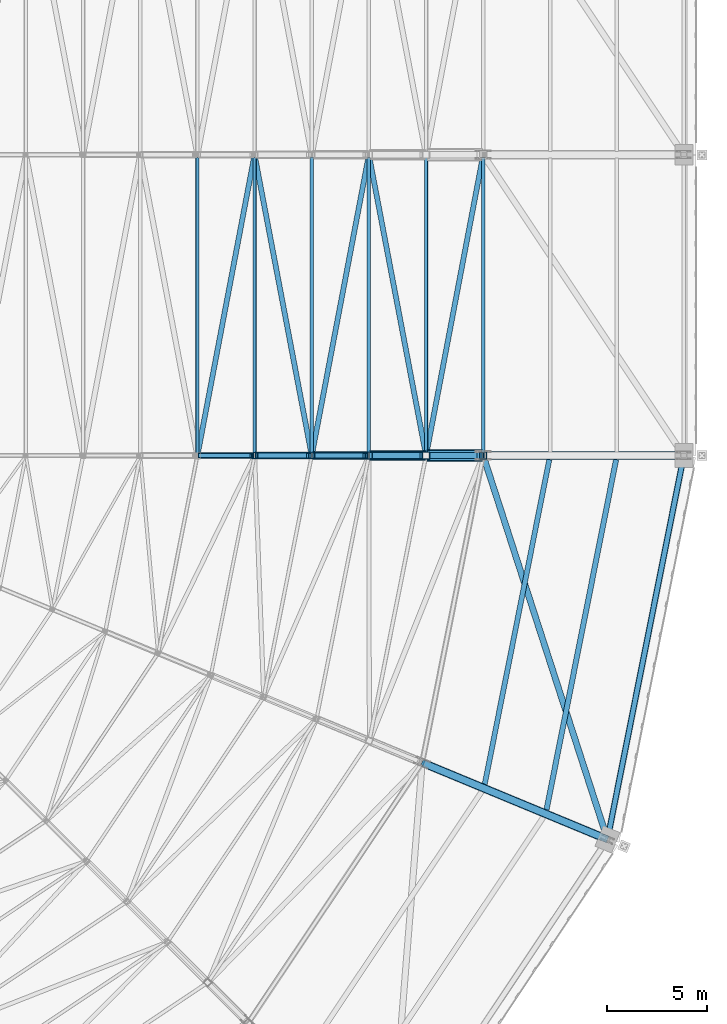
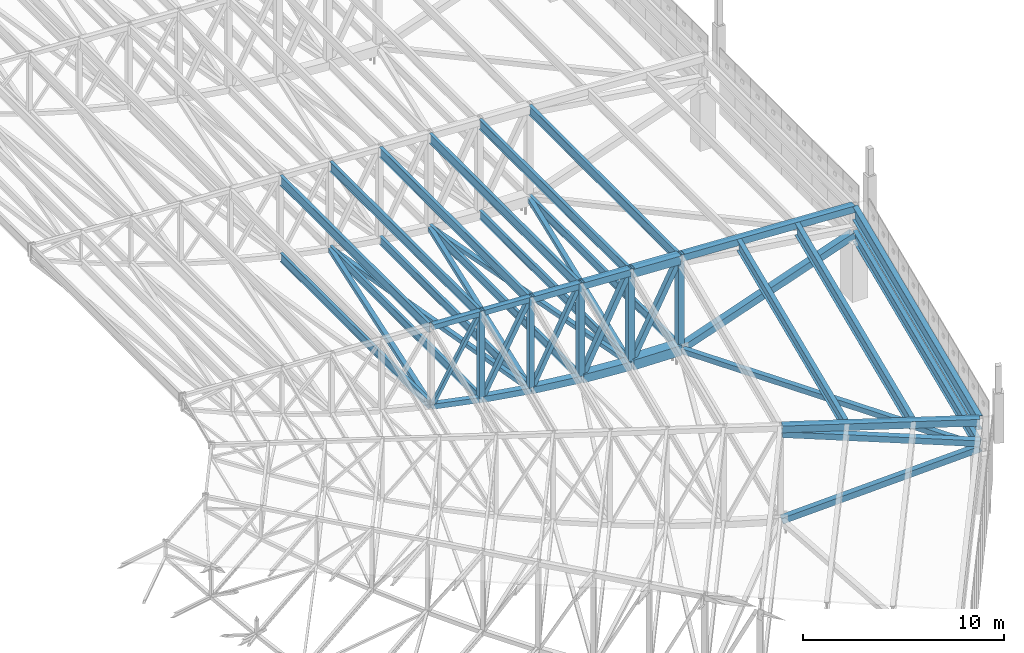
# One storey, part 51 of 278: 28 members, 19 beams.
"""IFC4 building model written with IfcOpenShell, lengths in metres."""

from ifc_helpers import new_model, si_unit, direction, frame, origin, origin_2d, place, context, subcontext, project, spatial, hollow_rectangle, i_section, extrude, material, material_profile, profile_set, type_object, element, save


model = new_model("IFC4")

# Units and contexts
model_context = context("Model", 3, precision=1e-05, world=origin(), true_north=direction((0.0, 1.0)))
body_context = subcontext(model_context, "Body", "Model", "MODEL_VIEW")
ifc_project = project(units=[si_unit("LENGTHUNIT", "METRE"), si_unit("AREAUNIT", "SQUARE_METRE"), si_unit("VOLUMEUNIT", "CUBIC_METRE"), si_unit("PLANEANGLEUNIT", "RADIAN"), si_unit("MASSUNIT", "GRAM", prefix="KILO")], contexts=[model_context])

# Site, building, storey
site_placement = place(None, origin())
site = spatial("IfcSite", under=ifc_project, at=site_placement, CompositionType="ELEMENT")
building_placement = place(site_placement, origin())
building = spatial("IfcBuilding", under=site, at=building_placement, Name="Ogive Plaza Stadium", CompositionType="ELEMENT")
storey_placement = place(building_placement, frame((0.0, 0.0, 29.0)))
storey = spatial("IfcBuildingStorey", under=building, at=storey_placement, Name="Roof", CompositionType="ELEMENT", Elevation=29.0)

# Members
ifc_material_1 = material(Name="Steel ASTM A500 Grade C", Category="steel")
ifc_material_profile_1 = material_profile(ifc_material_1, hollow_rectangle(XDim=0.25390625, YDim=0.25390625, WallThickness=0.0087890625, at=origin_2d()), Name="HSS10X10X3/8")
ifc_profile_set_1 = profile_set([ifc_material_profile_1], Name="Steel ASTM A500 Grade C")
member_type_1 = type_object("IfcMemberType", Name="Roof plan brace HSS10X10X3/8", PredefinedType="BRACE", material=ifc_profile_set_1)
member_1_placement = place(storey_placement, frame((59.77783203125, -52.353271484375, 1.753173828125), z_axis=(0.186534960176, 0.981781820104, -0.036182403809), x_axis=(-0.982425109661, 0.186657182843, 0.0)))
element("IfcMember", 1, at=member_1_placement, inside=storey, type_object=member_type_1, Name="ROOF BRACE B07 6", PredefinedType="BRACE", context=body_context, shape_type="SweptSolid", body=[
    extrude(hollow_rectangle(XDim=0.25390625, YDim=0.25390625, WallThickness=0.0087890625, at=origin_2d()), origin(), (0.0, 0.0, 1.0), 14.9794921875),
])
member_2_placement = place(storey_placement, frame((62.6279296875, -37.646728515625, 1.20166015625), z_axis=(0.186585145076, -0.982045956233, -0.027779911508), x_axis=(0.982425109661, 0.186657182843, 0.0)))
element("IfcMember", 2, at=member_2_placement, inside=storey, type_object=member_type_1, Name="ROOF BRACE B07 7", PredefinedType="BRACE", context=body_context, shape_type="SweptSolid", body=[
    extrude(hollow_rectangle(XDim=0.25390625, YDim=0.25390625, WallThickness=0.0087890625, at=origin_2d()), origin(), (0.0, 0.0, 1.0), 14.975341796875),
])
member_3_placement = place(storey_placement, frame((65.477783203125, -52.353271484375, 0.77880859375), z_axis=(0.186639895054, 0.982268812283, -0.017706778071), x_axis=(-0.982422833867, 0.186669160538, 0.0)))
element("IfcMember", 3, at=member_3_placement, inside=storey, type_object=member_type_1, Name="ROOF BRACE B07 8", PredefinedType="BRACE", context=body_context, shape_type="SweptSolid", body=[
    extrude(hollow_rectangle(XDim=0.25390625, YDim=0.25390625, WallThickness=0.0087890625, at=origin_2d()), origin(), (0.0, 0.0, 1.0), 14.946044921875),
])
member_4_placement = place(storey_placement, frame((68.332763671875, -37.672119140625, 0.50927734375), z_axis=(0.186657320186, -0.982381109131, -0.009295226886), x_axis=(0.982423551356, 0.186665384421, 0.0)))
element("IfcMember", 4, at=member_4_placement, inside=storey, type_object=member_type_1, Name="ROOF BRACE B07 9", PredefinedType="BRACE", context=body_context, shape_type="SweptSolid", body=[
    extrude(hollow_rectangle(XDim=0.25390625, YDim=0.25390625, WallThickness=0.0087890625, at=origin_2d()), origin(), (0.0, 0.0, 1.0), 14.918701171875),
])
member_5_placement = place(storey_placement, frame((71.1826171875, -52.327880859375, 0.368408203125), z_axis=(0.186663720517, 0.982414794197, -0.004222272479), x_axis=(-0.982423551356, 0.186665384421, 0.0)))
element("IfcMember", 5, at=member_5_placement, inside=storey, type_object=member_type_1, Name="ROOF BRACE B07 10", PredefinedType="BRACE", context=body_context, shape_type="SweptSolid", body=[
    extrude(hollow_rectangle(XDim=0.25390625, YDim=0.25390625, WallThickness=0.0087890625, at=origin_2d()), origin(), (0.0, 0.0, 1.0), 14.918212890625),
])
ifc_material_2 = material(Name="Steel ASTM A500 Grade C", Category="steel")
ifc_material_profile_2 = material_profile(ifc_material_2, hollow_rectangle(XDim=0.3046875, YDim=0.3046875, WallThickness=0.0087890625, at=origin_2d()), Name="HSS12X12X3/8")
ifc_profile_set_2 = profile_set([ifc_material_profile_2], Name="Steel ASTM A500 Grade C")
member_type_2 = type_object("IfcMemberType", Name="Roof plan brace HSS12X12X3/8", PredefinedType="BRACE", material=ifc_profile_set_2)
member_6_placement = place(storey_placement, frame((74.0634765625, -52.6962890625, 0.23876953125), z_axis=(0.303484233035, -0.937504082222, 0.170245164735), x_axis=(0.951392763713, 0.307980209031, 0.0)))
element("IfcMember", 6, at=member_6_placement, inside=storey, type_object=member_type_2, Name="ROOF BRACE B08 11", PredefinedType="BRACE", context=body_context, shape_type="SweptSolid", body=[
    extrude(hollow_rectangle(XDim=0.3046875, YDim=0.3046875, WallThickness=0.0087890625, at=origin_2d()), origin(), (0.0, 0.0, 1.0), 19.96337890625),
])
ifc_material_3 = material(Name="Steel ASTM A992 Grade 50", Category="steel")
ifc_material_profile_3 = material_profile(ifc_material_3, i_section(OverallWidth=0.1650390625, OverallDepth=0.524658203125, WebThickness=0.0087890625, FlangeThickness=0.011474609375, at=origin_2d()), Name="W21X44")
ifc_profile_set_3 = profile_set([ifc_material_profile_3], Name="Steel ASTM A992 Grade 50")
member_type_3 = type_object("IfcMemberType", Name="Roof plan strut W21X44", PredefinedType="STRUT", material=ifc_profile_set_3)
for number, where, z_axis, x_axis, name in (
    (7, (59.75, -37.622314453125, 1.758544921875), (0.0, -1.0, 0.0), (1.0, 0.0, 0.0), "ROOF STRUT B07 5"),
    (8, (62.60009765625, -37.622314453125, 1.205810546875), (0.0, -1.0, 0.0), (1.0, 0.0, 0.0), "ROOF STRUT B07 6"),
    (9, (65.449951171875, -37.622314453125, 0.781494140625), (0.0, -1.0, 0.0), (1.0, 0.0, 0.0), "ROOF STRUT B07 7"),
):
    element("IfcMember", number, at=place(storey_placement, frame(where, z_axis=z_axis, x_axis=x_axis)), inside=storey, type_object=member_type_3, Name=name, PredefinedType="STRUT", context=body_context, shape_type="SweptSolid", body=[
        extrude(i_section(OverallWidth=0.1650390625, OverallDepth=0.524658203125, WebThickness=0.0087890625, FlangeThickness=0.011474609375, at=origin_2d()), origin(), (0.0, 0.0, 1.0), 14.75537109375),
    ])
for number, where, z_axis, x_axis, name in (
    (10, (68.300048828125, -37.647705078125, 0.510986328125), (0.0, -1.0, 0.0), (1.0, 0.0, 0.0), "ROOF STRUT B07 8"),
    (11, (71.14990234375, -37.647705078125, 0.369140625), (0.0, -1.0, 0.0), (1.0, 0.0, 0.0), "ROOF STRUT B07 9"),
    (12, (74.0, -37.647705078125, 0.3046875), (0.0, -1.0, 0.0), (1.0, 0.0, 0.0), "ROOF STRUT B07 10"),
):
    element("IfcMember", number, at=place(storey_placement, frame(where, z_axis=z_axis, x_axis=x_axis)), inside=storey, type_object=member_type_3, Name=name, PredefinedType="STRUT", context=body_context, shape_type="SweptSolid", body=[
        extrude(i_section(OverallWidth=0.1650390625, OverallDepth=0.524658203125, WebThickness=0.0087890625, FlangeThickness=0.011474609375, at=origin_2d()), origin(), (0.0, 0.0, 1.0), 14.70458984375),
    ])
ifc_material_4 = material(Name="Steel ASTM A992 Grade 50", Category="steel")
ifc_material_profile_4 = material_profile(ifc_material_4, i_section(OverallWidth=0.2529296875, OverallDepth=0.678466796875, WebThickness=0.01171875, FlangeThickness=0.016357421875, at=origin_2d()), Name="W27X84")
ifc_profile_set_4 = profile_set([ifc_material_profile_4], Name="Steel ASTM A992 Grade 50")
member_type_4 = type_object("IfcMemberType", Name="Roof plan strut W27X84", PredefinedType="STRUT", material=ifc_profile_set_4)
member_7_placement = place(storey_placement, frame((83.970703125, -52.647705078125, 3.677734375), z_axis=(-0.195099495499, -0.980783455639, 0.0), x_axis=(0.980783455639, -0.195099495499, 0.0)))
element("IfcMember", 13, at=member_7_placement, inside=storey, type_object=member_type_4, Name="ROOF STRUT B08 11", PredefinedType="STRUT", context=body_context, shape_type="SweptSolid", body=[
    extrude(i_section(OverallWidth=0.2529296875, OverallDepth=0.678466796875, WebThickness=0.01171875, FlangeThickness=0.016357421875, at=origin_2d()), origin(), (0.0, 0.0, 1.0), 19.259765625),
])
ifc_material_5 = material(Name="Steel ASTM A992 Grade 50", Category="steel")
ifc_material_profile_5 = material_profile(ifc_material_5, i_section(OverallWidth=0.177978515625, OverallDepth=0.5986328125, WebThickness=0.010009765625, FlangeThickness=0.012939453125, at=origin_2d()), Name="W24X55")
ifc_profile_set_5 = profile_set([ifc_material_profile_5], Name="Steel ASTM A992 Grade 50")
member_type_5 = type_object("IfcMemberType", Name="Roof purlin W24X55", PredefinedType="PURLIN", material=ifc_profile_set_5)
for number, where, z_axis, x_axis, name in (
    (14, (59.75, -37.622314453125, 6.4130859375), (0.0, -1.0, 0.0), (1.0, 0.0, 0.0), "ROOF PURLIN B07 5"),
    (15, (62.60009765625, -37.622314453125, 6.270751953125), (0.0, -1.0, 0.0), (1.0, 0.0, 0.0), "ROOF PURLIN B07 6"),
    (16, (65.449951171875, -37.622314453125, 6.128173828125), (0.0, -1.0, 0.0), (1.0, 0.0, 0.0), "ROOF PURLIN B07 7"),
):
    element("IfcMember", number, at=place(storey_placement, frame(where, z_axis=z_axis, x_axis=x_axis)), inside=storey, type_object=member_type_5, Name=name, PredefinedType="PURLIN", context=body_context, shape_type="SweptSolid", body=[
        extrude(i_section(OverallWidth=0.177978515625, OverallDepth=0.5986328125, WebThickness=0.010009765625, FlangeThickness=0.012939453125, at=origin_2d()), origin(), (0.0, 0.0, 1.0), 14.75537109375),
    ])
for number, where, z_axis, x_axis, name in (
    (17, (68.300048828125, -37.647705078125, 5.985595703125), (0.0, -1.0, 0.0), (1.0, 0.0, 0.0), "ROOF PURLIN B07 8"),
    (18, (71.14990234375, -37.647705078125, 5.84326171875), (0.0, -1.0, 0.0), (1.0, 0.0, 0.0), "ROOF PURLIN B07 9"),
    (19, (74.0, -37.647705078125, 5.70068359375), (0.0, -1.0, 0.0), (1.0, 0.0, 0.0), "ROOF PURLIN B07 10"),
):
    element("IfcMember", number, at=place(storey_placement, frame(where, z_axis=z_axis, x_axis=x_axis)), inside=storey, type_object=member_type_5, Name=name, PredefinedType="PURLIN", context=body_context, shape_type="SweptSolid", body=[
        extrude(i_section(OverallWidth=0.177978515625, OverallDepth=0.5986328125, WebThickness=0.010009765625, FlangeThickness=0.012939453125, at=origin_2d()), origin(), (0.0, 0.0, 1.0), 14.70458984375),
    ])
ifc_material_6 = material(Name="Steel ASTM A992 Grade 50", Category="steel")
ifc_material_profile_6 = material_profile(ifc_material_6, i_section(OverallWidth=0.2529296875, OverallDepth=0.678466796875, WebThickness=0.01171875, FlangeThickness=0.016357421875, at=origin_2d()), Name="W27X84")
ifc_profile_set_6 = profile_set([ifc_material_profile_6], Name="Steel ASTM A992 Grade 50")
member_type_6 = type_object("IfcMemberType", Name="Roof purlin W27X84", PredefinedType="PURLIN", material=ifc_profile_set_6)
member_8_placement = place(storey_placement, frame((77.2939453125, -52.698486328125, 5.494140625), z_axis=(-0.195097549229, -0.980783842794, 0.0), x_axis=(0.980783842794, -0.195097549229, 0.0)))
element("IfcMember", 20, at=member_8_placement, inside=storey, type_object=member_type_6, Name="ROOF PURLIN B08 11", PredefinedType="PURLIN", context=body_context, shape_type="SweptSolid", body=[
    extrude(i_section(OverallWidth=0.2529296875, OverallDepth=0.678466796875, WebThickness=0.01171875, FlangeThickness=0.016357421875, at=origin_2d()), origin(), (0.0, 0.0, 1.0), 16.503173828125),
])
ifc_material_7 = material(Name="Steel ASTM A992 Grade 50", Category="steel")
ifc_material_profile_7 = material_profile(ifc_material_7, i_section(OverallWidth=0.26416015625, OverallDepth=0.75, WebThickness=0.011962890625, FlangeThickness=0.015380859375, at=origin_2d()), Name="W30X90")
ifc_profile_set_7 = profile_set([ifc_material_profile_7], Name="Steel ASTM A992 Grade 50")
member_type_7 = type_object("IfcMemberType", Name="Roof purlin W30X90", PredefinedType="PURLIN", material=ifc_profile_set_7)
member_9_placement = place(storey_placement, frame((80.626953125, -52.699462890625, 5.291748046875), z_axis=(-0.195090070818, -0.98078533037, 0.0), x_axis=(0.98078533037, -0.195090070818, 0.0)))
element("IfcMember", 21, at=member_9_placement, inside=storey, type_object=member_type_7, Name="ROOF PURLIN B08 12", PredefinedType="PURLIN", context=body_context, shape_type="SweptSolid", body=[
    extrude(i_section(OverallWidth=0.26416015625, OverallDepth=0.75, WebThickness=0.011962890625, FlangeThickness=0.015380859375, at=origin_2d()), origin(), (0.0, 0.0, 1.0), 17.801513671875),
])
ifc_material_8 = material(Name="Steel ASTM A992 Grade 50", Category="steel")
ifc_material_profile_8 = material_profile(ifc_material_8, i_section(OverallWidth=0.2919921875, OverallDepth=0.834716796875, WebThickness=0.013916015625, FlangeThickness=0.018798828125, at=origin_2d()), Name="W33X118")
ifc_profile_set_8 = profile_set([ifc_material_profile_8], Name="Steel ASTM A992 Grade 50")
member_type_8 = type_object("IfcMemberType", Name="Roof purlin W33X118", PredefinedType="PURLIN", material=ifc_profile_set_8)
member_10_placement = place(storey_placement, frame((83.969970703125, -52.6513671875, 5.082763671875), z_axis=(-0.195089328978, -0.98078547793, 0.0), x_axis=(0.98078547793, -0.195089328978, 0.0)))
element("IfcMember", 22, at=member_10_placement, inside=storey, type_object=member_type_8, Name="ROOF PURLIN B08 13", PredefinedType="PURLIN", context=body_context, shape_type="SweptSolid", body=[
    extrude(i_section(OverallWidth=0.2919921875, OverallDepth=0.834716796875, WebThickness=0.013916015625, FlangeThickness=0.018798828125, at=origin_2d()), origin(), (0.0, 0.0, 1.0), 19.251953125),
])

# Beams
ifc_material_9 = material(Name="Steel ASTM A500 Grade C", Category="steel")
ifc_material_profile_9 = material_profile(ifc_material_9, hollow_rectangle(XDim=0.355712890625, YDim=0.355712890625, WallThickness=0.0146484375, at=origin_2d()), Name="HSS14X14X5/8")
ifc_profile_set_9 = profile_set([ifc_material_profile_9], Name="Steel ASTM A500 Grade C")
beam_type_1 = type_object("IfcBeamType", Name="Roof truss back-span bottom chord HSS14X14X5/8", PredefinedType="BEAM", material=ifc_profile_set_9)
beam_1_placement = place(storey_placement, frame((71.00146484375, -67.826416015625, 0.205810546875), z_axis=(0.8720107052, -0.361198342864, 0.330352973543), x_axis=(0.382683145003, 0.92387965154, 0.0)))
element("IfcBeam", 23, at=beam_1_placement, inside=storey, type_object=beam_type_1, Name="ROOF TRUSS T09 BOTTOM CHORD 11", PredefinedType="BEAM", context=body_context, shape_type="SweptSolid", body=[
    extrude(hollow_rectangle(XDim=0.355712890625, YDim=0.355712890625, WallThickness=0.0146484375, at=origin_2d()), origin(), (0.0, 0.0, 1.0), 10.4794921875),
])
ifc_material_10 = material(Name="Steel ASTM A500 Grade C", Category="steel")
ifc_material_profile_10 = material_profile(ifc_material_10, hollow_rectangle(XDim=0.406494140625, YDim=0.406494140625, WallThickness=0.0146484375, at=origin_2d()), Name="HSS16X16X5/8")
ifc_profile_set_10 = profile_set([ifc_material_profile_10], Name="Steel ASTM A500 Grade C")
beam_type_2 = type_object("IfcBeamType", Name="Roof truss back-span bottom chord HSS16X16X5/8", PredefinedType="BEAM", material=ifc_profile_set_10)
beam_2_placement = place(storey_placement, frame((74.050048828125, -52.5, 0.232666015625), z_axis=(0.943851085966, 0.0, 0.330371196567), x_axis=(0.0, 1.0, 0.0)))
element("IfcBeam", 24, at=beam_2_placement, inside=storey, type_object=beam_type_2, Name="ROOF TRUSS T08 BOTTOM CHORD 11", PredefinedType="BEAM", context=body_context, shape_type="SweptSolid", body=[
    extrude(hollow_rectangle(XDim=0.406494140625, YDim=0.406494140625, WallThickness=0.0146484375, at=origin_2d()), origin(), (0.0, 0.0, 1.0), 10.470703125),
])
ifc_material_11 = material(Name="Steel ASTM A500 Grade C", Category="steel")
ifc_material_profile_11 = material_profile(ifc_material_11, hollow_rectangle(XDim=0.406494140625, YDim=0.406494140625, WallThickness=0.01171875, at=origin_2d()), Name="HSS16X16X1/2")
ifc_profile_set_11 = profile_set([ifc_material_profile_11], Name="Steel ASTM A500 Grade C")
beam_type_3 = type_object("IfcBeamType", Name="Roof truss back-span top chord HSS16X16X1/2", PredefinedType="BEAM", material=ifc_profile_set_11)
beam_3_placement = place(storey_placement, frame((71.00146484375, -67.826416015625, 5.7939453125), z_axis=(0.922724635654, -0.382212873931, -0.049925602233), x_axis=(0.382690111637, 0.923876765838, 0.0)))
element("IfcBeam", 25, at=beam_3_placement, inside=storey, type_object=beam_type_3, Name="ROOF TRUSS T09 TOP CHORD 11", PredefinedType="BEAM", context=body_context, shape_type="SweptSolid", body=[
    extrude(hollow_rectangle(XDim=0.406494140625, YDim=0.406494140625, WallThickness=0.01171875, at=origin_2d()), origin(), (0.0, 0.0, 1.0), 9.912109375),
])
ifc_material_12 = material(Name="Steel ASTM A500 Grade C", Category="steel")
ifc_material_profile_12 = material_profile(ifc_material_12, hollow_rectangle(XDim=0.406494140625, YDim=0.406494140625, WallThickness=0.0146484375, at=origin_2d()), Name="HSS16X16X5/8")
ifc_profile_set_12 = profile_set([ifc_material_profile_12], Name="Steel ASTM A500 Grade C")
beam_type_4 = type_object("IfcBeamType", Name="Roof truss back-span top chord HSS16X16X5/8", PredefinedType="BEAM", material=ifc_profile_set_12)
beam_4_placement = place(storey_placement, frame((74.050048828125, -52.5, 5.7939453125), z_axis=(0.998752953021, 0.0, -0.049925332571), x_axis=(0.0, 1.0, 0.0)))
element("IfcBeam", 26, at=beam_4_placement, inside=storey, type_object=beam_type_4, Name="ROOF TRUSS T08 TOP CHORD 11", PredefinedType="BEAM", context=body_context, shape_type="SweptSolid", body=[
    extrude(hollow_rectangle(XDim=0.406494140625, YDim=0.406494140625, WallThickness=0.0146484375, at=origin_2d()), origin(), (0.0, 0.0, 1.0), 9.912353515625),
])

# Member
ifc_material_13 = material(Name="Steel ASTM A500 Grade C", Category="steel")
ifc_material_profile_13 = material_profile(ifc_material_13, hollow_rectangle(XDim=0.355712890625, YDim=0.355712890625, WallThickness=0.01171875, at=origin_2d()), Name="HSS14X14X1/2")
ifc_profile_set_13 = profile_set([ifc_material_profile_13], Name="Steel ASTM A500 Grade C")
member_type_9 = type_object("IfcMemberType", Name="Roof truss back-stay HSS14X14X1/2", PredefinedType="BRACE", material=ifc_profile_set_13)
member_11_placement = place(storey_placement, frame((71.01708984375, -67.8330078125, 5.456787109375), z_axis=(0.913970348271, -0.378574229049, -0.146081332079), x_axis=(0.382679390263, 0.923881206794, 0.0)))
element("IfcMember", 27, at=member_11_placement, inside=storey, type_object=member_type_9, Name="BACK-STAY T09", PredefinedType="BRACE", context=body_context, shape_type="SweptSolid", body=[
    extrude(hollow_rectangle(XDim=0.355712890625, YDim=0.355712890625, WallThickness=0.01171875, at=origin_2d()), origin(), (0.0, 0.0, 1.0), 10.024169921875),
])

# Beams
ifc_material_14 = material(Name="Steel ASTM A500 Grade C", Category="steel")
ifc_material_profile_14 = material_profile(ifc_material_14, hollow_rectangle(XDim=0.3046875, YDim=0.3046875, WallThickness=0.0146484375, at=origin_2d()), Name="HSS12X12X5/8")
ifc_profile_set_14 = profile_set([ifc_material_profile_14], Name="Steel ASTM A500 Grade C")
beam_type_5 = type_object("IfcBeamType", Name="Roof truss bottom chord HSS12X12X5/8", PredefinedType="BEAM", material=ifc_profile_set_14)
beam_5_placement = place(storey_placement, frame((59.800048828125, -52.5, 1.751708984375), z_axis=(0.980021250437, 0.0, -0.19889280704), x_axis=(0.0, 1.0, 0.0)))
element("IfcBeam", 28, at=beam_5_placement, inside=storey, type_object=beam_type_5, Name="ROOF TRUSS T08 BOTTOM CHORD 6", PredefinedType="BEAM", context=body_context, shape_type="SweptSolid", body=[
    extrude(hollow_rectangle(XDim=0.3046875, YDim=0.3046875, WallThickness=0.0146484375, at=origin_2d()), origin(), (0.0, 0.0, 1.0), 2.80615234375),
])
ifc_material_15 = material(Name="Steel ASTM A500 Grade C", Category="steel")
ifc_material_profile_15 = material_profile(ifc_material_15, hollow_rectangle(XDim=0.355712890625, YDim=0.355712890625, WallThickness=0.0146484375, at=origin_2d()), Name="HSS14X14X5/8")
ifc_profile_set_15 = profile_set([ifc_material_profile_15], Name="Steel ASTM A500 Grade C")
beam_type_6 = type_object("IfcBeamType", Name="Roof truss bottom chord HSS14X14X5/8", PredefinedType="BEAM", material=ifc_profile_set_15)
beam_6_placement = place(storey_placement, frame((62.64990234375, -52.5, 1.2001953125), z_axis=(0.987770074518, 0.0, -0.155917541947), x_axis=(0.0, 1.0, 0.0)))
element("IfcBeam", 29, at=beam_6_placement, inside=storey, type_object=beam_type_6, Name="ROOF TRUSS T08 BOTTOM CHORD 7", PredefinedType="BEAM", context=body_context, shape_type="SweptSolid", body=[
    extrude(hollow_rectangle(XDim=0.355712890625, YDim=0.355712890625, WallThickness=0.0146484375, at=origin_2d()), origin(), (0.0, 0.0, 1.0), 2.783935546875),
])
ifc_material_16 = material(Name="Steel ASTM A500 Grade C", Category="steel")
ifc_material_profile_16 = material_profile(ifc_material_16, hollow_rectangle(XDim=0.406494140625, YDim=0.406494140625, WallThickness=0.0146484375, at=origin_2d()), Name="HSS16X16X5/8")
ifc_profile_set_16 = profile_set([ifc_material_profile_16], Name="Steel ASTM A500 Grade C")
beam_type_7 = type_object("IfcBeamType", Name="Roof truss bottom chord HSS16X16X5/8", PredefinedType="BEAM", material=ifc_profile_set_16)
beam_7_placement = place(storey_placement, frame((65.5, -52.5, 0.777099609375), z_axis=(0.993703844406, 0.0, -0.112038696946), x_axis=(0.0, 1.0, 0.0)))
element("IfcBeam", 30, at=beam_7_placement, inside=storey, type_object=beam_type_7, Name="ROOF TRUSS T08 BOTTOM CHORD 8", PredefinedType="BEAM", context=body_context, shape_type="SweptSolid", body=[
    extrude(hollow_rectangle(XDim=0.406494140625, YDim=0.406494140625, WallThickness=0.0146484375, at=origin_2d()), origin(), (0.0, 0.0, 1.0), 2.767333984375),
])
ifc_material_17 = material(Name="Steel ASTM A500 Grade C", Category="steel")
ifc_material_profile_17 = material_profile(ifc_material_17, hollow_rectangle(XDim=0.508056640625, YDim=0.508056640625, WallThickness=0.0146484375, at=origin_2d()), Name="HSS20X20X5/8")
ifc_profile_set_17 = profile_set([ifc_material_profile_17], Name="Steel ASTM A500 Grade C")
beam_type_8 = type_object("IfcBeamType", Name="Roof truss bottom chord HSS20X20X5/8", PredefinedType="BEAM", material=ifc_profile_set_17)
beam_8_placement = place(storey_placement, frame((68.35009765625, -52.5, 0.50830078125), z_axis=(0.997719620387, 0.0, -0.06749488199), x_axis=(0.0, 1.0, 0.0)))
element("IfcBeam", 31, at=beam_8_placement, inside=storey, type_object=beam_type_8, Name="ROOF TRUSS T08 BOTTOM CHORD 9", PredefinedType="BEAM", context=body_context, shape_type="SweptSolid", body=[
    extrude(hollow_rectangle(XDim=0.508056640625, YDim=0.508056640625, WallThickness=0.0146484375, at=origin_2d()), origin(), (0.0, 0.0, 1.0), 2.75634765625),
])
ifc_material_18 = material(Name="Steel ASTM A500 Grade C", Category="steel")
ifc_material_profile_18 = material_profile(ifc_material_18, hollow_rectangle(XDim=0.609619140625, YDim=0.609619140625, WallThickness=0.0146484375, at=origin_2d()), Name="HSS24X24X5/8")
ifc_profile_set_18 = profile_set([ifc_material_profile_18], Name="Steel ASTM A500 Grade C")
beam_type_9 = type_object("IfcBeamType", Name="Roof truss bottom chord HSS24X24X5/8", PredefinedType="BEAM", material=ifc_profile_set_18)
beam_9_placement = place(storey_placement, frame((71.199951171875, -52.5, 0.367919921875), z_axis=(0.999745852076, 0.0, -0.022543984946), x_axis=(0.0, 1.0, 0.0)))
element("IfcBeam", 32, at=beam_9_placement, inside=storey, type_object=beam_type_9, Name="ROOF TRUSS T08 BOTTOM CHORD 10", PredefinedType="BEAM", context=body_context, shape_type="SweptSolid", body=[
    extrude(hollow_rectangle(XDim=0.609619140625, YDim=0.609619140625, WallThickness=0.0146484375, at=origin_2d()), origin(), (0.0, 0.0, 1.0), 2.750732421875),
])

# Members
ifc_material_19 = material(Name="Steel ASTM A500 Grade C", Category="steel")
ifc_material_profile_19 = material_profile(ifc_material_19, hollow_rectangle(XDim=0.25390625, YDim=0.25390625, WallThickness=0.0087890625, at=origin_2d()), Name="HSS10X10X3/8")
ifc_profile_set_19 = profile_set([ifc_material_profile_19], Name="Steel ASTM A500 Grade C")
member_type_10 = type_object("IfcMemberType", Name="Roof truss diagonal HSS10X10X3/8", PredefinedType="BRACE", material=ifc_profile_set_19)
member_12_placement = place(storey_placement, frame((62.75244140625, -52.5, 1.383544921875), z_axis=(0.473127942579, 0.0, 0.880993728667), x_axis=(0.0, 1.0, 0.0)))
element("IfcMember", 33, at=member_12_placement, inside=storey, type_object=member_type_10, Name="ROOF TRUSS T08 DIAGONAL 7", PredefinedType="BRACE", context=body_context, shape_type="SweptSolid", body=[
    extrude(hollow_rectangle(XDim=0.25390625, YDim=0.25390625, WallThickness=0.0087890625, at=origin_2d()), origin(), (0.0, 0.0, 1.0), 5.37939453125),
])
member_13_placement = place(storey_placement, frame((65.602294921875, -52.5, 0.984619140625), z_axis=(0.454062843231, 0.0, 0.890969659639), x_axis=(0.0, 1.0, 0.0)))
element("IfcMember", 34, at=member_13_placement, inside=storey, type_object=member_type_10, Name="ROOF TRUSS T08 DIAGONAL 8", PredefinedType="BRACE", context=body_context, shape_type="SweptSolid", body=[
    extrude(hollow_rectangle(XDim=0.25390625, YDim=0.25390625, WallThickness=0.0087890625, at=origin_2d()), origin(), (0.0, 0.0, 1.0), 5.550048828125),
])
ifc_material_20 = material(Name="Steel ASTM A500 Grade C", Category="steel")
ifc_material_profile_20 = material_profile(ifc_material_20, hollow_rectangle(XDim=0.3046875, YDim=0.3046875, WallThickness=0.0087890625, at=origin_2d()), Name="HSS12X12X3/8")
ifc_profile_set_20 = profile_set([ifc_material_profile_20], Name="Steel ASTM A500 Grade C")
member_type_11 = type_object("IfcMemberType", Name="Roof truss diagonal HSS12X12X3/8", PredefinedType="BRACE", material=ifc_profile_set_20)
member_14_placement = place(storey_placement, frame((68.477783203125, -52.5, 0.764892578125), z_axis=(0.448477330766, 0.0, 0.893794206621), x_axis=(0.0, 1.0, 0.0)))
element("IfcMember", 35, at=member_14_placement, inside=storey, type_object=member_type_11, Name="ROOF TRUSS T08 DIAGONAL 9", PredefinedType="BRACE", context=body_context, shape_type="SweptSolid", body=[
    extrude(hollow_rectangle(XDim=0.3046875, YDim=0.3046875, WallThickness=0.0087890625, at=origin_2d()), origin(), (0.0, 0.0, 1.0), 5.56201171875),
])
member_15_placement = place(storey_placement, frame((71.327880859375, -52.5, 0.673828125), z_axis=(0.459750963822, 0.0, 0.888047887934), x_axis=(0.0, 1.0, 0.0)))
element("IfcMember", 36, at=member_15_placement, inside=storey, type_object=member_type_11, Name="ROOF TRUSS T08 DIAGONAL 10", PredefinedType="BRACE", context=body_context, shape_type="SweptSolid", body=[
    extrude(hollow_rectangle(XDim=0.3046875, YDim=0.3046875, WallThickness=0.0087890625, at=origin_2d()), origin(), (0.0, 0.0, 1.0), 5.425537109375),
])
ifc_material_21 = material(Name="Steel ASTM A500 Grade C", Category="steel")
ifc_material_profile_21 = material_profile(ifc_material_21, hollow_rectangle(XDim=0.203125, YDim=0.203125, WallThickness=0.0087890625, at=origin_2d()), Name="HSS8X8X3/8")
ifc_profile_set_21 = profile_set([ifc_material_profile_21], Name="Steel ASTM A500 Grade C")
member_type_12 = type_object("IfcMemberType", Name="Roof truss diagonal HSS8X8X3/8", PredefinedType="BRACE", material=ifc_profile_set_21)
member_16_placement = place(storey_placement, frame((59.90234375, -52.5, 1.9111328125), z_axis=(0.504659398762, 0.0, 0.863318534054), x_axis=(0.0, 1.0, 0.0)))
element("IfcMember", 37, at=member_16_placement, inside=storey, type_object=member_type_12, Name="ROOF TRUSS T08 DIAGONAL 6", PredefinedType="BRACE", context=body_context, shape_type="SweptSolid", body=[
    extrude(hollow_rectangle(XDim=0.203125, YDim=0.203125, WallThickness=0.0087890625, at=origin_2d()), origin(), (0.0, 0.0, 1.0), 5.043212890625),
])

# Beams
ifc_material_22 = material(Name="Steel ASTM A500 Grade C", Category="steel")
ifc_material_profile_22 = material_profile(ifc_material_22, hollow_rectangle(XDim=0.3046875, YDim=0.3046875, WallThickness=0.0146484375, at=origin_2d()), Name="HSS12X12X5/8")
ifc_profile_set_22 = profile_set([ifc_material_profile_22], Name="Steel ASTM A500 Grade C")
beam_type_10 = type_object("IfcBeamType", Name="Roof truss post HSS12X12X5/8", PredefinedType="BEAM", material=ifc_profile_set_22)
beam_10_placement = place(storey_placement, frame((62.60009765625, -52.5, 1.028076171875), z_axis=(0.0, 0.0, 1.0), x_axis=(0.0, 1.0, 0.0)))
element("IfcBeam", 38, at=beam_10_placement, inside=storey, type_object=beam_type_10, Name="ROOF TRUSS T08 POST 7", PredefinedType="BEAM", context=body_context, shape_type="SweptSolid", body=[
    extrude(hollow_rectangle(XDim=0.3046875, YDim=0.3046875, WallThickness=0.0146484375, at=origin_2d()), origin(), (0.0, 0.0, 1.0), 5.5419921875),
])
beam_11_placement = place(storey_placement, frame((65.449951171875, -52.5, 0.578369140625), z_axis=(0.0, 0.0, 1.0), x_axis=(0.0, 1.0, 0.0)))
element("IfcBeam", 39, at=beam_11_placement, inside=storey, type_object=beam_type_10, Name="ROOF TRUSS T08 POST 8", PredefinedType="BEAM", context=body_context, shape_type="SweptSolid", body=[
    extrude(hollow_rectangle(XDim=0.3046875, YDim=0.3046875, WallThickness=0.0146484375, at=origin_2d()), origin(), (0.0, 0.0, 1.0), 5.84912109375),
])
ifc_material_23 = material(Name="Steel ASTM A500 Grade C", Category="steel")
ifc_material_profile_23 = material_profile(ifc_material_23, hollow_rectangle(XDim=0.355712890625, YDim=0.355712890625, WallThickness=0.0146484375, at=origin_2d()), Name="HSS14X14X5/8")
ifc_profile_set_23 = profile_set([ifc_material_profile_23], Name="Steel ASTM A500 Grade C")
beam_type_11 = type_object("IfcBeamType", Name="Roof truss post HSS14X14X5/8", PredefinedType="BEAM", material=ifc_profile_set_23)
beam_12_placement = place(storey_placement, frame((68.300048828125, -52.5, 0.257080078125), z_axis=(0.0, 0.0, 1.0), x_axis=(0.0, 1.0, 0.0)))
element("IfcBeam", 40, at=beam_12_placement, inside=storey, type_object=beam_type_11, Name="ROOF TRUSS T08 POST 9", PredefinedType="BEAM", context=body_context, shape_type="SweptSolid", body=[
    extrude(hollow_rectangle(XDim=0.355712890625, YDim=0.355712890625, WallThickness=0.0146484375, at=origin_2d()), origin(), (0.0, 0.0, 1.0), 6.02783203125),
])
beam_13_placement = place(storey_placement, frame((71.14990234375, -52.5, 0.064208984375), z_axis=(0.0, 0.0, 1.0), x_axis=(0.0, 1.0, 0.0)))
element("IfcBeam", 41, at=beam_13_placement, inside=storey, type_object=beam_type_11, Name="ROOF TRUSS T08 POST 10", PredefinedType="BEAM", context=body_context, shape_type="SweptSolid", body=[
    extrude(hollow_rectangle(XDim=0.355712890625, YDim=0.355712890625, WallThickness=0.0146484375, at=origin_2d()), origin(), (0.0, 0.0, 1.0), 6.078369140625),
])
beam_14_placement = place(storey_placement, frame((74.0, -52.5, -0.06005859375), z_axis=(0.0, 0.0, 1.0), x_axis=(0.0, 1.0, 0.0)))
element("IfcBeam", 42, at=beam_14_placement, inside=storey, type_object=beam_type_11, Name="ROOF TRUSS T08 POST 11", PredefinedType="BEAM", context=body_context, shape_type="SweptSolid", body=[
    extrude(hollow_rectangle(XDim=0.355712890625, YDim=0.355712890625, WallThickness=0.0146484375, at=origin_2d()), origin(), (0.0, 0.0, 1.0), 6.06005859375),
])
ifc_material_24 = material(Name="Steel ASTM A500 Grade C", Category="steel")
ifc_material_profile_24 = material_profile(ifc_material_24, hollow_rectangle(XDim=0.3046875, YDim=0.3046875, WallThickness=0.01171875, at=origin_2d()), Name="HSS12X12X1/2")
ifc_profile_set_24 = profile_set([ifc_material_profile_24], Name="Steel ASTM A500 Grade C")
beam_type_12 = type_object("IfcBeamType", Name="Roof truss top chord HSS12X12X1/2", PredefinedType="BEAM", material=ifc_profile_set_24)
beam_15_placement = place(storey_placement, frame((62.64990234375, -52.5, 6.414794921875), z_axis=(0.998753223187, 0.0, -0.049919927615), x_axis=(0.0, 1.0, 0.0)))
element("IfcBeam", 43, at=beam_15_placement, inside=storey, type_object=beam_type_12, Name="ROOF TRUSS T08 TOP CHORD 7", PredefinedType="BEAM", context=body_context, shape_type="SweptSolid", body=[
    extrude(hollow_rectangle(XDim=0.3046875, YDim=0.3046875, WallThickness=0.01171875, at=origin_2d()), origin(), (0.0, 0.0, 1.0), 2.75341796875),
])
ifc_material_25 = material(Name="Steel ASTM A500 Grade C", Category="steel")
ifc_material_profile_25 = material_profile(ifc_material_25, hollow_rectangle(XDim=0.3046875, YDim=0.3046875, WallThickness=0.0087890625, at=origin_2d()), Name="HSS12X12X3/8")
ifc_profile_set_25 = profile_set([ifc_material_profile_25], Name="Steel ASTM A500 Grade C")
beam_type_13 = type_object("IfcBeamType", Name="Roof truss top chord HSS12X12X3/8", PredefinedType="BEAM", material=ifc_profile_set_25)
beam_16_placement = place(storey_placement, frame((59.800048828125, -52.5, 6.557373046875), z_axis=(0.998753223187, 0.0, -0.049919927615), x_axis=(0.0, 1.0, 0.0)))
element("IfcBeam", 44, at=beam_16_placement, inside=storey, type_object=beam_type_13, Name="ROOF TRUSS T08 TOP CHORD 6", PredefinedType="BEAM", context=body_context, shape_type="SweptSolid", body=[
    extrude(hollow_rectangle(XDim=0.3046875, YDim=0.3046875, WallThickness=0.0087890625, at=origin_2d()), origin(), (0.0, 0.0, 1.0), 2.75341796875),
])
ifc_material_26 = material(Name="Steel ASTM A500 Grade C", Category="steel")
ifc_material_profile_26 = material_profile(ifc_material_26, hollow_rectangle(XDim=0.355712890625, YDim=0.355712890625, WallThickness=0.01171875, at=origin_2d()), Name="HSS14X14X1/2")
ifc_profile_set_26 = profile_set([ifc_material_profile_26], Name="Steel ASTM A500 Grade C")
beam_type_14 = type_object("IfcBeamType", Name="Roof truss top chord HSS14X14X1/2", PredefinedType="BEAM", material=ifc_profile_set_26)
beam_17_placement = place(storey_placement, frame((65.5, -52.5, 6.2470703125), z_axis=(0.998748798523, 0.0, -0.05000837379), x_axis=(0.0, 1.0, 0.0)))
element("IfcBeam", 45, at=beam_17_placement, inside=storey, type_object=beam_type_14, Name="ROOF TRUSS T08 TOP CHORD 8", PredefinedType="BEAM", context=body_context, shape_type="SweptSolid", body=[
    extrude(hollow_rectangle(XDim=0.355712890625, YDim=0.355712890625, WallThickness=0.01171875, at=origin_2d()), origin(), (0.0, 0.0, 1.0), 2.75341796875),
])
ifc_material_27 = material(Name="Steel ASTM A500 Grade C", Category="steel")
ifc_material_profile_27 = material_profile(ifc_material_27, hollow_rectangle(XDim=0.406494140625, YDim=0.406494140625, WallThickness=0.01171875, at=origin_2d()), Name="HSS16X16X1/2")
ifc_profile_set_27 = profile_set([ifc_material_profile_27], Name="Steel ASTM A500 Grade C")
beam_type_15 = type_object("IfcBeamType", Name="Roof truss top chord HSS16X16X1/2", PredefinedType="BEAM", material=ifc_profile_set_27)
beam_18_placement = place(storey_placement, frame((68.35009765625, -52.5, 6.0791015625), z_axis=(0.998753223187, 0.0, -0.049919927615), x_axis=(0.0, 1.0, 0.0)))
element("IfcBeam", 46, at=beam_18_placement, inside=storey, type_object=beam_type_15, Name="ROOF TRUSS T08 TOP CHORD 9", PredefinedType="BEAM", context=body_context, shape_type="SweptSolid", body=[
    extrude(hollow_rectangle(XDim=0.406494140625, YDim=0.406494140625, WallThickness=0.01171875, at=origin_2d()), origin(), (0.0, 0.0, 1.0), 2.75341796875),
])
ifc_material_28 = material(Name="Steel ASTM A500 Grade C", Category="steel")
ifc_material_profile_28 = material_profile(ifc_material_28, hollow_rectangle(XDim=0.508056640625, YDim=0.508056640625, WallThickness=0.0146484375, at=origin_2d()), Name="HSS20X20X5/8")
ifc_profile_set_28 = profile_set([ifc_material_profile_28], Name="Steel ASTM A500 Grade C")
beam_type_16 = type_object("IfcBeamType", Name="Roof truss top chord HSS20X20X5/8", PredefinedType="BEAM", material=ifc_profile_set_28)
beam_19_placement = place(storey_placement, frame((71.199951171875, -52.5, 5.8857421875), z_axis=(0.998753223187, 0.0, -0.049919927615), x_axis=(0.0, 1.0, 0.0)))
element("IfcBeam", 47, at=beam_19_placement, inside=storey, type_object=beam_type_16, Name="ROOF TRUSS T08 TOP CHORD 10", PredefinedType="BEAM", context=body_context, shape_type="SweptSolid", body=[
    extrude(hollow_rectangle(XDim=0.508056640625, YDim=0.508056640625, WallThickness=0.0146484375, at=origin_2d()), origin(), (0.0, 0.0, 1.0), 2.75341796875),
])

save(model, "model.ifc")
